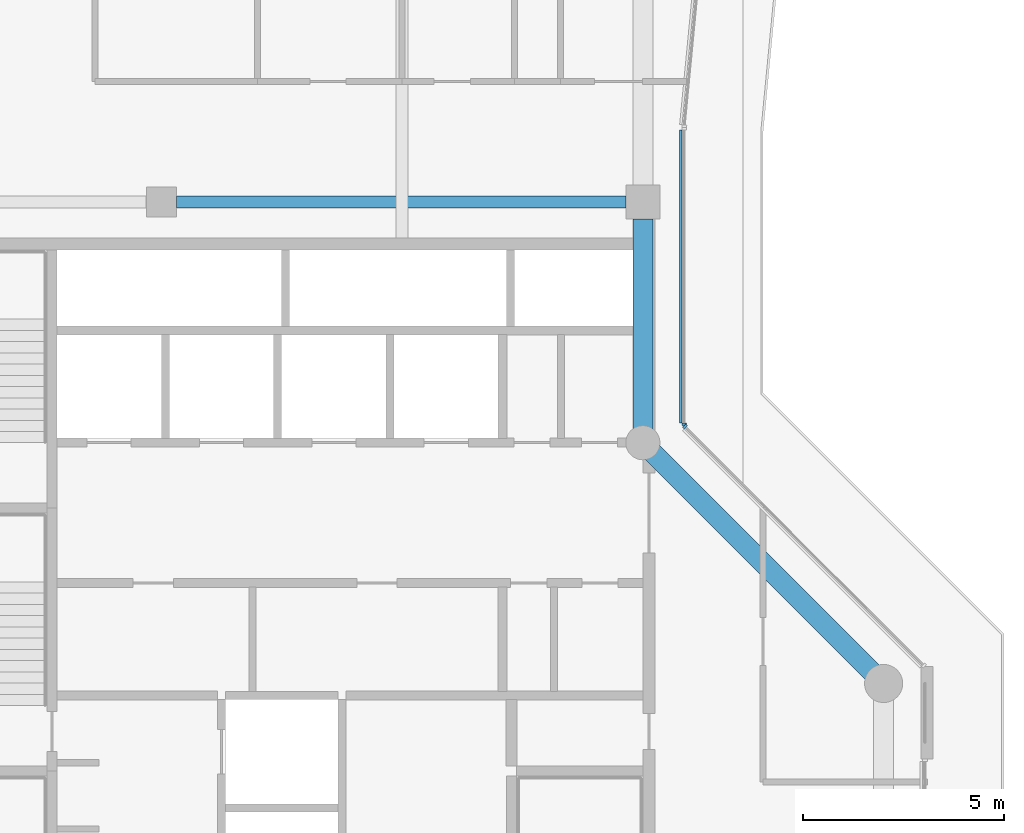
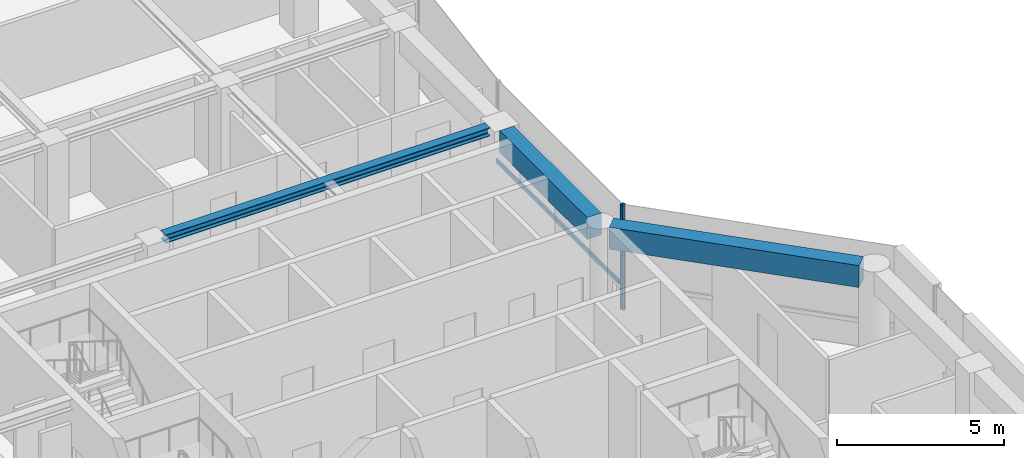
# One storey, part 5 of 25: 3 beams, 3 members, 2 elements without a shape of their own.
"""IFC4 building model written with IfcOpenShell, lengths in metres."""

from ifc_helpers import new_model, si_unit, direction, frame, origin, origin_2d, place, context, subcontext, project, spatial, rectangle, i_section, extrude, material, layer, layer_set, material_profile, profile_set, type_object, element, aggregate, save


model = new_model("IFC4")

# Units and contexts
model_context = context("Model", 3, precision=1e-05, world=origin(), true_north=direction((0.0, 1.0)))
body_context = subcontext(model_context, "Body", "Model", "MODEL_VIEW")
ifc_project = project(units=[si_unit("LENGTHUNIT", "METRE"), si_unit("AREAUNIT", "SQUARE_METRE"), si_unit("VOLUMEUNIT", "CUBIC_METRE"), si_unit("PLANEANGLEUNIT", "RADIAN"), si_unit("MASSUNIT", "GRAM", prefix="KILO")], contexts=[model_context])

# Site, building, storey
site_placement = place(None, origin())
site = spatial("IfcSite", under=ifc_project, at=site_placement, CompositionType="ELEMENT")
building_placement = place(site_placement, origin())
building = spatial("IfcBuilding", under=site, at=building_placement, Name="Welwitschia Terrace Campus", CompositionType="ELEMENT")
storey_placement = place(building_placement, frame((0.0, 0.0, 264.199951171875)))
storey = spatial("IfcBuildingStorey", under=building, at=storey_placement, Name="L58", CompositionType="ELEMENT", Elevation=264.199951171875)

# Beam
ifc_material_1 = material(Name="Steel S355", Category="steel")
ifc_material_profile_1 = material_profile(ifc_material_1, i_section(OverallWidth=0.300048828125, OverallDepth=0.300048828125, WebThickness=0.010986328125, FlangeThickness=0.01904296875, FilletRadius=0.027099609375, at=origin_2d()))
ifc_profile_set_1 = profile_set([ifc_material_profile_1], Name="Steel S355")
beam_type_1 = type_object("IfcBeamType", Name="Interior girder HE 300 B", PredefinedType="BEAM", material=ifc_profile_set_1)
beam_1_placement = place(storey_placement, frame((12.37548828125, 26.0, 3.699951171875), z_axis=(1.0, 0.0, 0.0), x_axis=(0.0, 1.0, 0.0)))
element("IfcBeam", 1, at=beam_1_placement, inside=storey, type_object=beam_type_1, Name="Girder GB6", PredefinedType="BEAM", context=body_context, shape_type="SweptSolid", body=[
    extrude(i_section(OverallWidth=0.300048828125, OverallDepth=0.300048828125, WebThickness=0.010986328125, FlangeThickness=0.01904296875, FilletRadius=0.027099609375, at=origin_2d()), origin(), (0.0, 0.0, 1.0), 11.208984375),
])

# Curtain wall, member
ifc_material_2 = material(Name="Bronze anodised aluminium", Category="aluminium")
ifc_layer = layer(ifc_material_2, 0.1201171875)
ifc_layer_set = layer_set([ifc_layer], Name="Bronze anodised aluminium")
curtain_wall_type = type_object("IfcCurtainWallType", Name="Curtain wall CW2 tower 6000", PredefinedType="NOTDEFINED", material=ifc_layer_set)
curtain_wall_1_placement = place(storey_placement, origin())
curtain_wall_1 = element("IfcCurtainWall", 2, at=curtain_wall_1_placement, inside=storey, type_object=curtain_wall_type, Name="CW L58.8.0", PredefinedType="NOTDEFINED")
ifc_material_3 = material(Name="Bronze anodised aluminium", Category="aluminium")
ifc_material_profile_2 = material_profile(ifc_material_3, rectangle(XDim=0.1201171875, YDim=0.06005859375, at=origin_2d()))
ifc_profile_set_2 = profile_set([ifc_material_profile_2], Name="Bronze anodised aluminium")
member_type_1 = type_object("IfcMemberType", Name="Mullion 60x120", PredefinedType="MULLION", material=ifc_profile_set_2)
member_1_placement = place(storey_placement, frame((25.05126953125, 20.405517578125, 0.0), z_axis=(0.0, 0.0, 1.0), x_axis=(-0.707106781187, -0.707106781187, 0.0)))
member_1 = element("IfcMember", 3, at=member_1_placement, type_object=member_type_1, Name="Mullion L58.8.0.1", PredefinedType="MULLION", context=body_context, shape_type="SweptSolid", body=[
    extrude(rectangle(XDim=0.1201171875, YDim=0.06005859375, at=origin_2d()), origin(), (0.0, 0.0, 1.0), 3.85009765625),
])
aggregate(curtain_wall_1, [member_1])

curtain_wall_2_placement = place(storey_placement, origin())
curtain_wall_2 = element("IfcCurtainWall", 4, at=curtain_wall_2_placement, inside=storey, type_object=curtain_wall_type, Name="CW L58.9.0", PredefinedType="NOTDEFINED")
member_2_placement = place(storey_placement, frame((25.030029296875, 20.45654296875, 0.0), z_axis=(0.0, 0.0, 1.0), x_axis=(-1.0, 0.0, 0.0)))
member_2 = element("IfcMember", 5, at=member_2_placement, type_object=member_type_1, Name="Mullion L58.9.0.0", PredefinedType="MULLION", context=body_context, shape_type="SweptSolid", body=[
    extrude(rectangle(XDim=0.1201171875, YDim=0.06005859375, at=origin_2d()), origin(), (0.0, 0.0, 1.0), 3.85009765625),
])

# Beams
ifc_material_4 = material(Name="Concrete C50/60", Category="concrete")
ifc_material_profile_3 = material_profile(ifc_material_4, rectangle(XDim=0.5, YDim=0.800048828125, at=origin_2d()))
ifc_profile_set_3 = profile_set([ifc_material_profile_3], Name="Concrete C50/60")
beam_type_2 = type_object("IfcBeamType", Name="Ring spandrel 500x800", PredefinedType="SPANDREL", material=ifc_profile_set_3)
beam_2_placement = place(storey_placement, frame((29.714111328125, 14.285888671875, 3.449951171875), z_axis=(-0.707106781187, 0.707106781187, 0.0), x_axis=(-0.707106781187, -0.707106781187, 0.0)))
element("IfcBeam", 6, at=beam_2_placement, inside=storey, type_object=beam_type_2, Name="Spandrel SP4", PredefinedType="SPANDREL", context=body_context, shape_type="SweptSolid", body=[
    extrude(rectangle(XDim=0.5, YDim=0.800048828125, at=origin_2d()), origin(), (0.0, 0.0, 1.0), 7.736328125),
])
beam_3_placement = place(storey_placement, frame((24.0, 20.344482421875, 3.449951171875), z_axis=(0.0, 1.0, 0.0), x_axis=(-1.0, 0.0, 0.0)))
element("IfcBeam", 7, at=beam_3_placement, inside=storey, type_object=beam_type_2, Name="Spandrel SP4", PredefinedType="SPANDREL", context=body_context, shape_type="SweptSolid", body=[
    extrude(rectangle(XDim=0.5, YDim=0.800048828125, at=origin_2d()), origin(), (0.0, 0.0, 1.0), 5.22998046875),
])

# Member
ifc_material_5 = material(Name="Bronze anodised aluminium", Category="aluminium")
ifc_material_profile_4 = material_profile(ifc_material_5, rectangle(XDim=0.06005859375, YDim=0.14990234375, at=origin_2d()))
ifc_profile_set_4 = profile_set([ifc_material_profile_4], Name="Bronze anodised aluminium")
member_type_2 = type_object("IfcMemberType", Name="Transom 60x150", PredefinedType="USERDEFINED", material=ifc_profile_set_4)
member_3_placement = place(storey_placement, frame((24.93994140625, 20.486572265625, 1.0), z_axis=(0.0, 1.0, 0.0), x_axis=(-1.0, 0.0, 0.0)))
member_3 = element("IfcMember", 8, at=member_3_placement, type_object=member_type_2, Name="Transom L58.9.0", ObjectType="TRANSOM", PredefinedType="USERDEFINED", context=body_context, shape_type="SweptSolid", body=[
    extrude(rectangle(XDim=0.06005859375, YDim=0.14990234375, at=origin_2d()), origin(), (0.0, 0.0, 1.0), 7.310302734375),
])

aggregate(curtain_wall_2, [member_2, member_3])

save(model, "model.ifc")
